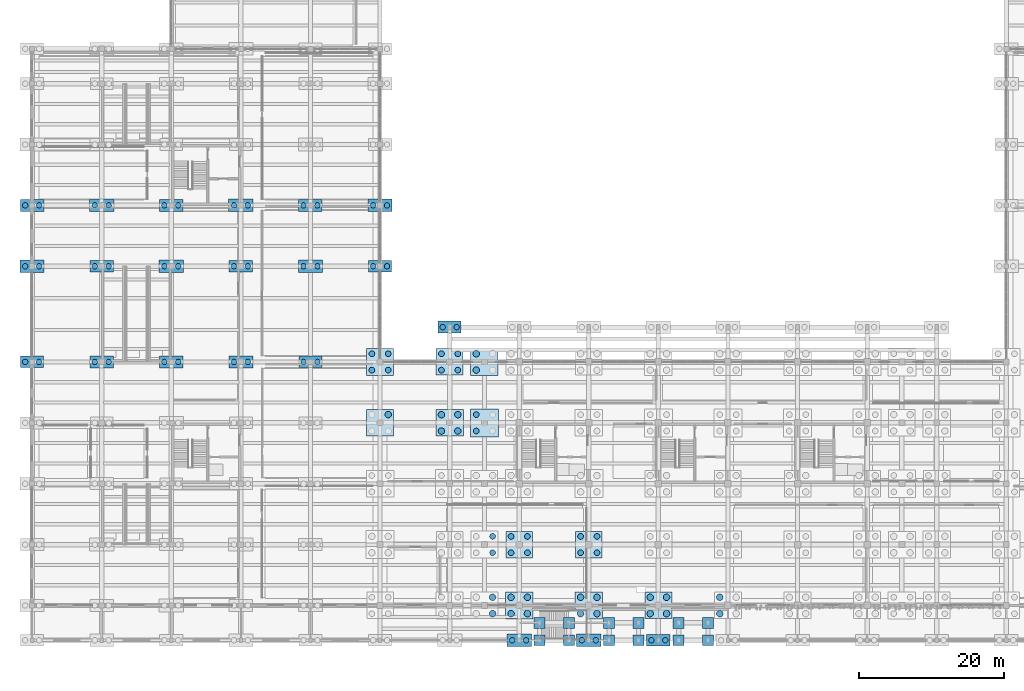
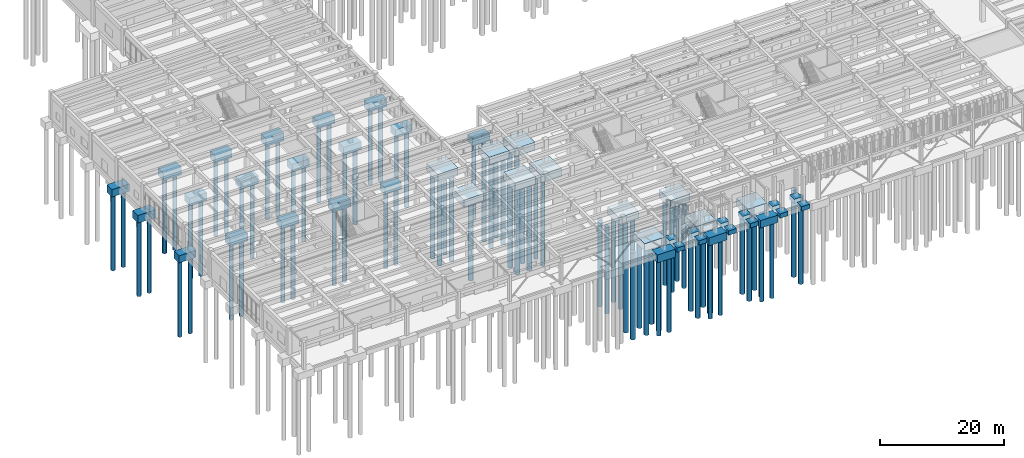
# One storey, part 2 of 102: 85 piles, 44 footings.
"""IFC4 building model written with IfcOpenShell, lengths in metres."""

from ifc_helpers import new_model, si_unit, direction, frame, origin, origin_2d, place, context, subcontext, project, spatial, rectangle, circle, extrude, material, material_profile, profile_set, type_object, element, save


model = new_model("IFC4")

# Units and contexts
model_context = context("Model", 3, precision=1e-05, world=origin(), true_north=direction((0.0, 1.0)))
body_context = subcontext(model_context, "Body", "Model", "MODEL_VIEW")
ifc_project = project(units=[si_unit("LENGTHUNIT", "METRE"), si_unit("AREAUNIT", "SQUARE_METRE"), si_unit("VOLUMEUNIT", "CUBIC_METRE"), si_unit("PLANEANGLEUNIT", "RADIAN"), si_unit("MASSUNIT", "GRAM", prefix="KILO")], contexts=[model_context])

# Site, building, storey
site_placement = place(None, origin())
site = spatial("IfcSite", under=ifc_project, at=site_placement, CompositionType="ELEMENT")
building_placement = place(site_placement, origin())
building = spatial("IfcBuilding", under=site, at=building_placement, Name="Kolvemor Railside Polytechnic", CompositionType="ELEMENT")
storey_placement = place(building_placement, origin())
storey = spatial("IfcBuildingStorey", under=building, at=storey_placement, Name="L00", CompositionType="ELEMENT", Elevation=0.0)

# Footings
ifc_material_1 = material(Name="Concrete C40/50", Category="concrete")
footing_type_1 = type_object("IfcFootingType", Name="FTG-PAD-B", PredefinedType="PAD_FOOTING", material=ifc_material_1)
for number, where, z_axis, x_axis, name in (
    (1, (70.0, 0.0, -0.85009765625), (0.0, 0.0, 1.0), (1.0, 0.0, 0.0), "Stair Post Pad Footing PF-104"),
    (2, (70.0, 2.39990234375, -0.85009765625), (0.0, 0.0, 1.0), (1.0, 0.0, 0.0), "Stair Post Pad Footing PF-105"),
    (3, (74.050048828125, 0.0, -0.85009765625), (0.0, 0.0, 1.0), (1.0, 0.0, 0.0), "Stair Post Pad Footing PF-106"),
    (4, (74.050048828125, 2.39990234375, -0.85009765625), (0.0, 0.0, 1.0), (1.0, 0.0, 0.0), "Stair Post Pad Footing PF-107"),
    (5, (79.60009765625, 0.0, -0.85009765625), (0.0, 0.0, 1.0), (1.0, 0.0, 0.0), "Stair Post Pad Footing PF-118"),
    (6, (79.60009765625, 2.39990234375, -0.85009765625), (0.0, 0.0, 1.0), (1.0, 0.0, 0.0), "Stair Post Pad Footing PF-119"),
    (7, (83.64990234375, 0.0, -0.85009765625), (0.0, 0.0, 1.0), (1.0, 0.0, 0.0), "Stair Post Pad Footing PF-120"),
    (8, (83.64990234375, 2.39990234375, -0.85009765625), (0.0, 0.0, 1.0), (1.0, 0.0, 0.0), "Stair Post Pad Footing PF-121"),
    (9, (89.199951171875, 0.0, -0.85009765625), (0.0, 0.0, 1.0), (1.0, 0.0, 0.0), "Stair Post Pad Footing PF-132"),
    (10, (89.199951171875, 2.39990234375, -0.85009765625), (0.0, 0.0, 1.0), (1.0, 0.0, 0.0), "Stair Post Pad Footing PF-133"),
    (11, (93.25, 0.0, -0.85009765625), (0.0, 0.0, 1.0), (1.0, 0.0, 0.0), "Stair Post Pad Footing PF-134"),
    (12, (93.25, 2.39990234375, -0.85009765625), (0.0, 0.0, 1.0), (1.0, 0.0, 0.0), "Stair Post Pad Footing PF-135"),
):
    element("IfcFooting", number, at=place(storey_placement, frame(where, z_axis=z_axis, x_axis=x_axis)), inside=storey, type_object=footing_type_1, Name=name, PredefinedType="PAD_FOOTING", context=body_context, shape_type="SweptSolid", body=[
        extrude(rectangle(XDim=1.5, YDim=1.5, at=origin_2d()), origin(), (0.0, 0.0, 1.0), 0.85009765625),
    ])
ifc_material_2 = material(Name="Concrete C40/50", Category="concrete")
footing_type_2 = type_object("IfcFootingType", Name="FTG-PC-2P-A", PredefinedType="PILE_CAP", material=ifc_material_2)
for number, where, z_axis, x_axis, name in (
    (13, (19.199951171875, 60.0, -1.5), (0.0, 0.0, 1.0), (1.0, 0.0, 0.0), "Pile Cap PC-030"),
    (14, (57.60009765625, 43.199951171875, -1.5), (0.0, 0.0, 1.0), (1.0, 0.0, 0.0), "Pile Cap PC-085"),
):
    element("IfcFooting", number, at=place(storey_placement, frame(where, z_axis=z_axis, x_axis=x_axis)), inside=storey, type_object=footing_type_2, Name=name, PredefinedType="PILE_CAP", context=body_context, shape_type="SweptSolid", body=[
        extrude(rectangle(XDim=3.199951171875, YDim=1.64990234375, at=origin_2d()), origin(), (0.0, 0.0, 1.0), 1.5),
    ])
ifc_material_3 = material(Name="Concrete C40/50", Category="concrete")
footing_type_3 = type_object("IfcFootingType", Name="FTG-PC-2P-B", PredefinedType="PILE_CAP", material=ifc_material_3)
for number, where, z_axis, x_axis, name in (
    (15, (0.0, 38.39990234375, -1.39990234375), (0.0, 0.0, 1.0), (1.0, 0.0, 0.0), "Pile Cap PC-006"),
    (16, (38.39990234375, 38.39990234375, -1.39990234375), (0.0, 0.0, 1.0), (1.0, 0.0, 0.0), "Pile Cap PC-056"),
    (17, (48.0, 51.60009765625, -1.39990234375), (0.0, 0.0, 1.0), (1.0, 0.0, 0.0), "Pile Cap PC-071"),
):
    element("IfcFooting", number, at=place(storey_placement, frame(where, z_axis=z_axis, x_axis=x_axis)), inside=storey, type_object=footing_type_3, Name=name, PredefinedType="PILE_CAP", context=body_context, shape_type="SweptSolid", body=[
        extrude(rectangle(XDim=3.14990234375, YDim=1.60009765625, at=origin_2d()), origin(), (0.0, 0.0, 1.0), 1.39990234375),
    ])
ifc_material_4 = material(Name="Concrete C40/50", Category="concrete")
footing_type_4 = type_object("IfcFootingType", Name="FTG-PC-2P-C", PredefinedType="PILE_CAP", material=ifc_material_4)
for number, where, z_axis, x_axis, name in (
    (18, (0.0, 51.60009765625, -1.5), (0.0, 0.0, 1.0), (1.0, 0.0, 0.0), "Pile Cap PC-007"),
    (19, (9.60009765625, 38.39990234375, -1.5), (0.0, 0.0, 1.0), (1.0, 0.0, 0.0), "Pile Cap PC-017"),
    (20, (28.800048828125, 38.39990234375, -1.5), (0.0, 0.0, 1.0), (1.0, 0.0, 0.0), "Pile Cap PC-042"),
    (21, (38.39990234375, 51.60009765625, -1.5), (0.0, 0.0, 1.0), (1.0, 0.0, 0.0), "Pile Cap PC-057"),
    (22, (48.0, 60.0, -1.5), (0.0, 0.0, 1.0), (1.0, 0.0, 0.0), "Pile Cap PC-072"),
):
    element("IfcFooting", number, at=place(storey_placement, frame(where, z_axis=z_axis, x_axis=x_axis)), inside=storey, type_object=footing_type_4, Name=name, PredefinedType="PILE_CAP", context=body_context, shape_type="SweptSolid", body=[
        extrude(rectangle(XDim=3.300048828125, YDim=1.699951171875, at=origin_2d()), origin(), (0.0, 0.0, 1.0), 1.5),
    ])
ifc_material_5 = material(Name="Concrete C40/50", Category="concrete")
footing_type_5 = type_object("IfcFootingType", Name="FTG-PC-2P-D", PredefinedType="PILE_CAP", material=ifc_material_5)
for number, where, z_axis, x_axis, name in (
    (23, (0.0, 60.0, -1.4501953125), (0.0, 0.0, 1.0), (1.0, 0.0, 0.0), "Pile Cap PC-008"),
    (24, (9.60009765625, 51.60009765625, -1.4501953125), (0.0, 0.0, 1.0), (1.0, 0.0, 0.0), "Pile Cap PC-018"),
    (25, (19.199951171875, 38.39990234375, -1.4501953125), (0.0, 0.0, 1.0), (1.0, 0.0, 0.0), "Pile Cap PC-028"),
    (26, (28.800048828125, 51.60009765625, -1.4501953125), (0.0, 0.0, 1.0), (1.0, 0.0, 0.0), "Pile Cap PC-043"),
    (27, (38.39990234375, 60.0, -1.4501953125), (0.0, 0.0, 1.0), (1.0, 0.0, 0.0), "Pile Cap PC-058"),
    (28, (86.39990234375, 0.0, -1.4501953125), (0.0, 0.0, 1.0), (1.0, 0.0, 0.0), "Pile Cap PC-122"),
):
    element("IfcFooting", number, at=place(storey_placement, frame(where, z_axis=z_axis, x_axis=x_axis)), inside=storey, type_object=footing_type_5, Name=name, PredefinedType="PILE_CAP", context=body_context, shape_type="SweptSolid", body=[
        extrude(rectangle(XDim=3.25, YDim=1.64990234375, at=origin_2d()), origin(), (0.0, 0.0, 1.0), 1.449951171875),
    ])
ifc_material_6 = material(Name="Concrete C40/50", Category="concrete")
footing_type_6 = type_object("IfcFootingType", Name="FTG-PC-2P-E", PredefinedType="PILE_CAP", material=ifc_material_6)
for number, where, z_axis, x_axis, name in (
    (29, (9.60009765625, 60.0, -1.5498046875), (0.0, 0.0, 1.0), (1.0, 0.0, 0.0), "Pile Cap PC-019"),
    (30, (19.199951171875, 51.60009765625, -1.5498046875), (0.0, 0.0, 1.0), (1.0, 0.0, 0.0), "Pile Cap PC-029"),
    (31, (28.800048828125, 60.0, -1.5498046875), (0.0, 0.0, 1.0), (1.0, 0.0, 0.0), "Pile Cap PC-044"),
    (32, (67.199951171875, 0.0, -1.5498046875), (0.0, 0.0, 1.0), (1.0, 0.0, 0.0), "Pile Cap PC-094"),
    (33, (76.800048828125, 0.0, -1.5498046875), (0.0, 0.0, 1.0), (1.0, 0.0, 0.0), "Pile Cap PC-108"),
):
    element("IfcFooting", number, at=place(storey_placement, frame(where, z_axis=z_axis, x_axis=x_axis)), inside=storey, type_object=footing_type_6, Name=name, PredefinedType="PILE_CAP", context=body_context, shape_type="SweptSolid", body=[
        extrude(rectangle(XDim=3.35009765625, YDim=1.75, at=origin_2d()), origin(), (0.0, 0.0, 1.0), 1.550048828125),
    ])
ifc_material_7 = material(Name="Concrete C40/50", Category="concrete")
footing_type_7 = type_object("IfcFootingType", Name="FTG-PC-4P-A", PredefinedType="PILE_CAP", material=ifc_material_7)
for number, where, z_axis, x_axis, name in (
    (34, (48.0, 38.39990234375, -1.5), (0.0, 0.0, 1.0), (1.0, 0.0, 0.0), "Pile Cap PC-070"),
    (35, (67.199951171875, 4.800048828125, -1.5), (0.0, 0.0, 1.0), (1.0, 0.0, 0.0), "Pile Cap PC-095"),
    (36, (76.800048828125, 4.800048828125, -1.5), (0.0, 0.0, 1.0), (1.0, 0.0, 0.0), "Pile Cap PC-109"),
):
    element("IfcFooting", number, at=place(storey_placement, frame(where, z_axis=z_axis, x_axis=x_axis)), inside=storey, type_object=footing_type_7, Name=name, PredefinedType="PILE_CAP", context=body_context, shape_type="SweptSolid", body=[
        extrude(rectangle(XDim=3.75, YDim=3.75, at=origin_2d()), origin(), (0.0, 0.0, 1.0), 1.5),
    ])
ifc_material_8 = material(Name="Concrete C40/50", Category="concrete")
footing_type_8 = type_object("IfcFootingType", Name="FTG-PC-4P-B", PredefinedType="PILE_CAP", material=ifc_material_8)
for number, where, z_axis, x_axis, name in (
    (37, (67.199951171875, 13.199951171875, -1.5), (0.0, 0.0, 1.0), (1.0, 0.0, 0.0), "Pile Cap PC-096"),
    (38, (76.800048828125, 13.199951171875, -1.5), (0.0, 0.0, 1.0), (1.0, 0.0, 0.0), "Pile Cap PC-110"),
):
    element("IfcFooting", number, at=place(storey_placement, frame(where, z_axis=z_axis, x_axis=x_axis)), inside=storey, type_object=footing_type_8, Name=name, PredefinedType="PILE_CAP", context=body_context, shape_type="SweptSolid", body=[
        extrude(rectangle(XDim=3.64990234375, YDim=3.64990234375, at=origin_2d()), origin(), (0.0, 0.0, 1.0), 1.5),
    ])
ifc_material_9 = material(Name="Concrete C40/50", Category="concrete")
footing_type_9 = type_object("IfcFootingType", Name="FTG-PC-4P-C", PredefinedType="PILE_CAP", material=ifc_material_9)
footing_placement = place(storey_placement, frame((62.39990234375, 30.0, -1.60009765625), z_axis=(0.0, 0.0, 1.0), x_axis=(1.0, 0.0, 0.0)))
element("IfcFooting", 39, at=footing_placement, inside=storey, type_object=footing_type_9, Name="Pile Cap PC-092", PredefinedType="PILE_CAP", context=body_context, shape_type="SweptSolid", body=[
    extrude(rectangle(XDim=3.85009765625, YDim=3.85009765625, at=origin_2d()), origin(), (0.0, 0.0, 1.0), 1.60009765625),
])
ifc_material_10 = material(Name="Concrete C40/50", Category="concrete")
footing_type_10 = type_object("IfcFootingType", Name="FTG-PC-4P-D", PredefinedType="PILE_CAP", material=ifc_material_10)
for number, where, z_axis, x_axis, name in (
    (40, (57.60009765625, 30.0, -1.5498046875), (0.0, 0.0, 1.0), (1.0, 0.0, 0.0), "Pile Cap PC-083"),
    (41, (62.39990234375, 38.39990234375, -1.5498046875), (0.0, 0.0, 1.0), (1.0, 0.0, 0.0), "Pile Cap PC-093"),
):
    element("IfcFooting", number, at=place(storey_placement, frame(where, z_axis=z_axis, x_axis=x_axis)), inside=storey, type_object=footing_type_10, Name=name, PredefinedType="PILE_CAP", context=body_context, shape_type="SweptSolid", body=[
        extrude(rectangle(XDim=3.800048828125, YDim=3.699951171875, at=origin_2d()), origin(), (0.0, 0.0, 1.0), 1.550048828125),
    ])
ifc_material_11 = material(Name="Concrete C40/50", Category="concrete")
footing_type_11 = type_object("IfcFootingType", Name="FTG-PC-4P-E", PredefinedType="PILE_CAP", material=ifc_material_11)
for number, where, z_axis, x_axis, name in (
    (42, (48.0, 30.0, -1.4501953125), (0.0, 0.0, 1.0), (1.0, 0.0, 0.0), "Pile Cap PC-069"),
    (43, (57.60009765625, 38.39990234375, -1.4501953125), (0.0, 0.0, 1.0), (1.0, 0.0, 0.0), "Pile Cap PC-084"),
    (44, (86.39990234375, 4.800048828125, -1.4501953125), (0.0, 0.0, 1.0), (1.0, 0.0, 0.0), "Pile Cap PC-123"),
):
    element("IfcFooting", number, at=place(storey_placement, frame(where, z_axis=z_axis, x_axis=x_axis)), inside=storey, type_object=footing_type_11, Name=name, PredefinedType="PILE_CAP", context=body_context, shape_type="SweptSolid", body=[
        extrude(rectangle(XDim=3.699951171875, YDim=3.64990234375, at=origin_2d()), origin(), (0.0, 0.0, 1.0), 1.449951171875),
    ])

# Piles
ifc_material_12 = material(Name="Concrete C40/50", Category="concrete")
ifc_material_profile_1 = material_profile(ifc_material_12, circle(Radius=0.375, at=origin_2d()), Name="BP750")
ifc_profile_set_1 = profile_set([ifc_material_profile_1], Name="Concrete C40/50")
pile_type_1 = type_object("IfcPileType", Name="PIL-BP750", PredefinedType="BORED", material=ifc_profile_set_1)
for number, where, z_axis, x_axis, name in (
    (45, (-0.9599609375, 38.39990234375, -1.280029296875), (0.0, 0.0, -1.0), (1.0, 0.0, 0.0), "Bored Pile BP750-006-1"),
    (46, (0.9599609375, 38.39990234375, -1.280029296875), (0.0, 0.0, -1.0), (1.0, 0.0, 0.0), "Bored Pile BP750-006-2"),
):
    element("IfcPile", number, at=place(storey_placement, frame(where, z_axis=z_axis, x_axis=x_axis)), inside=storey, type_object=pile_type_1, Name=name, PredefinedType="BORED", context=body_context, shape_type="SweptSolid", body=[
        extrude(circle(Radius=0.375, at=origin_2d()), origin(), (0.0, 0.0, 1.0), 15.219970703125),
    ])
for number, where, z_axis, x_axis, name in (
    (47, (-0.9599609375, 51.60009765625, -1.3798828125), (0.0, 0.0, -1.0), (1.0, 0.0, 0.0), "Bored Pile BP750-007-1"),
    (48, (0.9599609375, 51.60009765625, -1.3798828125), (0.0, 0.0, -1.0), (1.0, 0.0, 0.0), "Bored Pile BP750-007-2"),
):
    element("IfcPile", number, at=place(storey_placement, frame(where, z_axis=z_axis, x_axis=x_axis)), inside=storey, type_object=pile_type_1, Name=name, PredefinedType="BORED", context=body_context, shape_type="SweptSolid", body=[
        extrude(circle(Radius=0.375, at=origin_2d()), origin(), (0.0, 0.0, 1.0), 15.1201171875),
    ])
for number, where, z_axis, x_axis, name in (
    (49, (-0.9599609375, 60.0, -1.330078125), (0.0, 0.0, -1.0), (1.0, 0.0, 0.0), "Bored Pile BP750-008-1"),
    (50, (0.9599609375, 60.0, -1.330078125), (0.0, 0.0, -1.0), (1.0, 0.0, 0.0), "Bored Pile BP750-008-2"),
):
    element("IfcPile", number, at=place(storey_placement, frame(where, z_axis=z_axis, x_axis=x_axis)), inside=storey, type_object=pile_type_1, Name=name, PredefinedType="BORED", context=body_context, shape_type="SweptSolid", body=[
        extrude(circle(Radius=0.375, at=origin_2d()), origin(), (0.0, 0.0, 1.0), 15.169921875),
    ])
for number, where, z_axis, x_axis, name in (
    (51, (8.639892578125, 38.39990234375, -1.3798828125), (0.0, 0.0, -1.0), (1.0, 0.0, 0.0), "Bored Pile BP750-017-1"),
    (52, (10.56005859375, 38.39990234375, -1.3798828125), (0.0, 0.0, -1.0), (1.0, 0.0, 0.0), "Bored Pile BP750-017-2"),
):
    element("IfcPile", number, at=place(storey_placement, frame(where, z_axis=z_axis, x_axis=x_axis)), inside=storey, type_object=pile_type_1, Name=name, PredefinedType="BORED", context=body_context, shape_type="SweptSolid", body=[
        extrude(circle(Radius=0.375, at=origin_2d()), origin(), (0.0, 0.0, 1.0), 15.1201171875),
    ])
for number, where, z_axis, x_axis, name in (
    (53, (8.639892578125, 51.60009765625, -1.330078125), (0.0, 0.0, -1.0), (1.0, 0.0, 0.0), "Bored Pile BP750-018-1"),
    (54, (10.56005859375, 51.60009765625, -1.330078125), (0.0, 0.0, -1.0), (1.0, 0.0, 0.0), "Bored Pile BP750-018-2"),
):
    element("IfcPile", number, at=place(storey_placement, frame(where, z_axis=z_axis, x_axis=x_axis)), inside=storey, type_object=pile_type_1, Name=name, PredefinedType="BORED", context=body_context, shape_type="SweptSolid", body=[
        extrude(circle(Radius=0.375, at=origin_2d()), origin(), (0.0, 0.0, 1.0), 15.169921875),
    ])
for number, where, z_axis, x_axis, name in (
    (55, (8.639892578125, 60.0, -1.429931640625), (0.0, 0.0, -1.0), (1.0, 0.0, 0.0), "Bored Pile BP750-019-1"),
    (56, (10.56005859375, 60.0, -1.429931640625), (0.0, 0.0, -1.0), (1.0, 0.0, 0.0), "Bored Pile BP750-019-2"),
):
    element("IfcPile", number, at=place(storey_placement, frame(where, z_axis=z_axis, x_axis=x_axis)), inside=storey, type_object=pile_type_1, Name=name, PredefinedType="BORED", context=body_context, shape_type="SweptSolid", body=[
        extrude(circle(Radius=0.375, at=origin_2d()), origin(), (0.0, 0.0, 1.0), 15.070068359375),
    ])
for number, where, z_axis, x_axis, name in (
    (57, (18.239990234375, 38.39990234375, -1.330078125), (0.0, 0.0, -1.0), (1.0, 0.0, 0.0), "Bored Pile BP750-028-1"),
    (58, (20.159912109375, 38.39990234375, -1.330078125), (0.0, 0.0, -1.0), (1.0, 0.0, 0.0), "Bored Pile BP750-028-2"),
):
    element("IfcPile", number, at=place(storey_placement, frame(where, z_axis=z_axis, x_axis=x_axis)), inside=storey, type_object=pile_type_1, Name=name, PredefinedType="BORED", context=body_context, shape_type="SweptSolid", body=[
        extrude(circle(Radius=0.375, at=origin_2d()), origin(), (0.0, 0.0, 1.0), 15.169921875),
    ])
for number, where, z_axis, x_axis, name in (
    (59, (18.239990234375, 51.60009765625, -1.429931640625), (0.0, 0.0, -1.0), (1.0, 0.0, 0.0), "Bored Pile BP750-029-1"),
    (60, (20.159912109375, 51.60009765625, -1.429931640625), (0.0, 0.0, -1.0), (1.0, 0.0, 0.0), "Bored Pile BP750-029-2"),
):
    element("IfcPile", number, at=place(storey_placement, frame(where, z_axis=z_axis, x_axis=x_axis)), inside=storey, type_object=pile_type_1, Name=name, PredefinedType="BORED", context=body_context, shape_type="SweptSolid", body=[
        extrude(circle(Radius=0.375, at=origin_2d()), origin(), (0.0, 0.0, 1.0), 15.070068359375),
    ])
for number, where, z_axis, x_axis, name in (
    (61, (18.239990234375, 60.0, -1.3798828125), (0.0, 0.0, -1.0), (1.0, 0.0, 0.0), "Bored Pile BP750-030-1"),
    (62, (20.159912109375, 60.0, -1.3798828125), (0.0, 0.0, -1.0), (1.0, 0.0, 0.0), "Bored Pile BP750-030-2"),
    (63, (27.840087890625, 38.39990234375, -1.3798828125), (0.0, 0.0, -1.0), (1.0, 0.0, 0.0), "Bored Pile BP750-042-1"),
    (64, (29.760009765625, 38.39990234375, -1.3798828125), (0.0, 0.0, -1.0), (1.0, 0.0, 0.0), "Bored Pile BP750-042-2"),
):
    element("IfcPile", number, at=place(storey_placement, frame(where, z_axis=z_axis, x_axis=x_axis)), inside=storey, type_object=pile_type_1, Name=name, PredefinedType="BORED", context=body_context, shape_type="SweptSolid", body=[
        extrude(circle(Radius=0.375, at=origin_2d()), origin(), (0.0, 0.0, 1.0), 15.1201171875),
    ])
for number, where, z_axis, x_axis, name in (
    (65, (27.840087890625, 51.60009765625, -1.330078125), (0.0, 0.0, -1.0), (1.0, 0.0, 0.0), "Bored Pile BP750-043-1"),
    (66, (29.760009765625, 51.60009765625, -1.330078125), (0.0, 0.0, -1.0), (1.0, 0.0, 0.0), "Bored Pile BP750-043-2"),
):
    element("IfcPile", number, at=place(storey_placement, frame(where, z_axis=z_axis, x_axis=x_axis)), inside=storey, type_object=pile_type_1, Name=name, PredefinedType="BORED", context=body_context, shape_type="SweptSolid", body=[
        extrude(circle(Radius=0.375, at=origin_2d()), origin(), (0.0, 0.0, 1.0), 15.169921875),
    ])
for number, where, z_axis, x_axis, name in (
    (67, (27.840087890625, 60.0, -1.429931640625), (0.0, 0.0, -1.0), (1.0, 0.0, 0.0), "Bored Pile BP750-044-1"),
    (68, (29.760009765625, 60.0, -1.429931640625), (0.0, 0.0, -1.0), (1.0, 0.0, 0.0), "Bored Pile BP750-044-2"),
):
    element("IfcPile", number, at=place(storey_placement, frame(where, z_axis=z_axis, x_axis=x_axis)), inside=storey, type_object=pile_type_1, Name=name, PredefinedType="BORED", context=body_context, shape_type="SweptSolid", body=[
        extrude(circle(Radius=0.375, at=origin_2d()), origin(), (0.0, 0.0, 1.0), 15.070068359375),
    ])
for number, where, z_axis, x_axis, name in (
    (69, (37.43994140625, 38.39990234375, -1.280029296875), (0.0, 0.0, -1.0), (1.0, 0.0, 0.0), "Bored Pile BP750-056-1"),
    (70, (39.360107421875, 38.39990234375, -1.280029296875), (0.0, 0.0, -1.0), (1.0, 0.0, 0.0), "Bored Pile BP750-056-2"),
):
    element("IfcPile", number, at=place(storey_placement, frame(where, z_axis=z_axis, x_axis=x_axis)), inside=storey, type_object=pile_type_1, Name=name, PredefinedType="BORED", context=body_context, shape_type="SweptSolid", body=[
        extrude(circle(Radius=0.375, at=origin_2d()), origin(), (0.0, 0.0, 1.0), 15.219970703125),
    ])
for number, where, z_axis, x_axis, name in (
    (71, (37.43994140625, 51.60009765625, -1.3798828125), (0.0, 0.0, -1.0), (1.0, 0.0, 0.0), "Bored Pile BP750-057-1"),
    (72, (39.360107421875, 51.60009765625, -1.3798828125), (0.0, 0.0, -1.0), (1.0, 0.0, 0.0), "Bored Pile BP750-057-2"),
):
    element("IfcPile", number, at=place(storey_placement, frame(where, z_axis=z_axis, x_axis=x_axis)), inside=storey, type_object=pile_type_1, Name=name, PredefinedType="BORED", context=body_context, shape_type="SweptSolid", body=[
        extrude(circle(Radius=0.375, at=origin_2d()), origin(), (0.0, 0.0, 1.0), 15.1201171875),
    ])
for number, where, z_axis, x_axis, name in (
    (73, (37.43994140625, 60.0, -1.330078125), (0.0, 0.0, -1.0), (1.0, 0.0, 0.0), "Bored Pile BP750-058-1"),
    (74, (39.360107421875, 60.0, -1.330078125), (0.0, 0.0, -1.0), (1.0, 0.0, 0.0), "Bored Pile BP750-058-2"),
):
    element("IfcPile", number, at=place(storey_placement, frame(where, z_axis=z_axis, x_axis=x_axis)), inside=storey, type_object=pile_type_1, Name=name, PredefinedType="BORED", context=body_context, shape_type="SweptSolid", body=[
        extrude(circle(Radius=0.375, at=origin_2d()), origin(), (0.0, 0.0, 1.0), 15.169921875),
    ])
for number, where, z_axis, x_axis, name in (
    (75, (47.0400390625, 51.60009765625, -1.280029296875), (0.0, 0.0, -1.0), (1.0, 0.0, 0.0), "Bored Pile BP750-071-1"),
    (76, (48.9599609375, 51.60009765625, -1.280029296875), (0.0, 0.0, -1.0), (1.0, 0.0, 0.0), "Bored Pile BP750-071-2"),
):
    element("IfcPile", number, at=place(storey_placement, frame(where, z_axis=z_axis, x_axis=x_axis)), inside=storey, type_object=pile_type_1, Name=name, PredefinedType="BORED", context=body_context, shape_type="SweptSolid", body=[
        extrude(circle(Radius=0.375, at=origin_2d()), origin(), (0.0, 0.0, 1.0), 15.219970703125),
    ])
for number, where, z_axis, x_axis, name in (
    (77, (47.0400390625, 60.0, -1.3798828125), (0.0, 0.0, -1.0), (1.0, 0.0, 0.0), "Bored Pile BP750-072-1"),
    (78, (48.9599609375, 60.0, -1.3798828125), (0.0, 0.0, -1.0), (1.0, 0.0, 0.0), "Bored Pile BP750-072-2"),
    (79, (56.639892578125, 43.199951171875, -1.3798828125), (0.0, 0.0, -1.0), (1.0, 0.0, 0.0), "Bored Pile BP750-085-1"),
    (80, (58.56005859375, 43.199951171875, -1.3798828125), (0.0, 0.0, -1.0), (1.0, 0.0, 0.0), "Bored Pile BP750-085-2"),
):
    element("IfcPile", number, at=place(storey_placement, frame(where, z_axis=z_axis, x_axis=x_axis)), inside=storey, type_object=pile_type_1, Name=name, PredefinedType="BORED", context=body_context, shape_type="SweptSolid", body=[
        extrude(circle(Radius=0.375, at=origin_2d()), origin(), (0.0, 0.0, 1.0), 15.1201171875),
    ])
for number, where, z_axis, x_axis, name in (
    (81, (66.239990234375, 0.0, -1.429931640625), (0.0, 0.0, -1.0), (1.0, 0.0, 0.0), "Bored Pile BP750-094-1"),
    (82, (68.159912109375, 0.0, -1.429931640625), (0.0, 0.0, -1.0), (1.0, 0.0, 0.0), "Bored Pile BP750-094-2"),
    (83, (75.840087890625, 0.0, -1.429931640625), (0.0, 0.0, -1.0), (1.0, 0.0, 0.0), "Bored Pile BP750-108-1"),
    (84, (77.760009765625, 0.0, -1.429931640625), (0.0, 0.0, -1.0), (1.0, 0.0, 0.0), "Bored Pile BP750-108-2"),
):
    element("IfcPile", number, at=place(storey_placement, frame(where, z_axis=z_axis, x_axis=x_axis)), inside=storey, type_object=pile_type_1, Name=name, PredefinedType="BORED", context=body_context, shape_type="SweptSolid", body=[
        extrude(circle(Radius=0.375, at=origin_2d()), origin(), (0.0, 0.0, 1.0), 15.070068359375),
    ])
for number, where, z_axis, x_axis, name in (
    (85, (85.43994140625, 0.0, -1.330078125), (0.0, 0.0, -1.0), (1.0, 0.0, 0.0), "Bored Pile BP750-122-1"),
    (86, (87.360107421875, 0.0, -1.330078125), (0.0, 0.0, -1.0), (1.0, 0.0, 0.0), "Bored Pile BP750-122-2"),
):
    element("IfcPile", number, at=place(storey_placement, frame(where, z_axis=z_axis, x_axis=x_axis)), inside=storey, type_object=pile_type_1, Name=name, PredefinedType="BORED", context=body_context, shape_type="SweptSolid", body=[
        extrude(circle(Radius=0.375, at=origin_2d()), origin(), (0.0, 0.0, 1.0), 15.169921875),
    ])
ifc_material_13 = material(Name="Concrete C40/50", Category="concrete")
ifc_material_profile_2 = material_profile(ifc_material_13, circle(Radius=0.39990234375, at=origin_2d()), Name="BP800")
ifc_profile_set_2 = profile_set([ifc_material_profile_2], Name="Concrete C40/50")
pile_type_2 = type_object("IfcPileType", Name="PIL-BP800", PredefinedType="BORED", material=ifc_profile_set_2)
for number, where, z_axis, x_axis, name in (
    (87, (46.8701171875, 37.27001953125, -1.3798828125), (0.0, 0.0, -1.0), (1.0, 0.0, 0.0), "Bored Pile PIL-BP800-070-1"),
    (88, (46.8701171875, 39.530029296875, -1.3798828125), (0.0, 0.0, -1.0), (1.0, 0.0, 0.0), "Bored Pile PIL-BP800-070-2"),
    (89, (49.1298828125, 37.27001953125, -1.3798828125), (0.0, 0.0, -1.0), (1.0, 0.0, 0.0), "Bored Pile PIL-BP800-070-3"),
    (90, (49.1298828125, 39.530029296875, -1.3798828125), (0.0, 0.0, -1.0), (1.0, 0.0, 0.0), "Bored Pile PIL-BP800-070-4"),
):
    element("IfcPile", number, at=place(storey_placement, frame(where, z_axis=z_axis, x_axis=x_axis)), inside=storey, type_object=pile_type_2, Name=name, PredefinedType="BORED", context=body_context, shape_type="SweptSolid", body=[
        extrude(circle(Radius=0.39990234375, at=origin_2d()), origin(), (0.0, 0.0, 1.0), 17.1201171875),
    ])
for number, where, z_axis, x_axis, name in (
    (91, (56.469970703125, 37.27001953125, -1.330078125), (0.0, 0.0, -1.0), (1.0, 0.0, 0.0), "Bored Pile PIL-BP800-084-1"),
    (92, (56.469970703125, 39.530029296875, -1.330078125), (0.0, 0.0, -1.0), (1.0, 0.0, 0.0), "Bored Pile PIL-BP800-084-2"),
    (93, (58.72998046875, 37.27001953125, -1.330078125), (0.0, 0.0, -1.0), (1.0, 0.0, 0.0), "Bored Pile PIL-BP800-084-3"),
    (94, (58.72998046875, 39.530029296875, -1.330078125), (0.0, 0.0, -1.0), (1.0, 0.0, 0.0), "Bored Pile PIL-BP800-084-4"),
):
    element("IfcPile", number, at=place(storey_placement, frame(where, z_axis=z_axis, x_axis=x_axis)), inside=storey, type_object=pile_type_2, Name=name, PredefinedType="BORED", context=body_context, shape_type="SweptSolid", body=[
        extrude(circle(Radius=0.39990234375, at=origin_2d()), origin(), (0.0, 0.0, 1.0), 17.169921875),
    ])
for number, where, z_axis, x_axis, name in (
    (95, (63.530029296875, 12.070068359375, -1.3798828125), (0.0, 0.0, -1.0), (1.0, 0.0, 0.0), "Bored Pile PIL-BP800-090-3"),
    (96, (63.530029296875, 14.330078125, -1.3798828125), (0.0, 0.0, -1.0), (1.0, 0.0, 0.0), "Bored Pile PIL-BP800-090-4"),
):
    element("IfcPile", number, at=place(storey_placement, frame(where, z_axis=z_axis, x_axis=x_axis)), inside=storey, type_object=pile_type_2, Name=name, PredefinedType="BORED", context=body_context, shape_type="SweptSolid", body=[
        extrude(circle(Radius=0.39990234375, at=origin_2d()), origin(), (0.0, 0.0, 1.0), 17.1201171875),
    ])
for number, where, z_axis, x_axis, name in (
    (97, (61.27001953125, 28.8701171875, -1.47998046875), (0.0, 0.0, -1.0), (1.0, 0.0, 0.0), "Bored Pile PIL-BP800-092-1"),
    (98, (61.27001953125, 31.1298828125, -1.47998046875), (0.0, 0.0, -1.0), (1.0, 0.0, 0.0), "Bored Pile PIL-BP800-092-2"),
):
    element("IfcPile", number, at=place(storey_placement, frame(where, z_axis=z_axis, x_axis=x_axis)), inside=storey, type_object=pile_type_2, Name=name, PredefinedType="BORED", context=body_context, shape_type="SweptSolid", body=[
        extrude(circle(Radius=0.39990234375, at=origin_2d()), origin(), (0.0, 0.0, 1.0), 17.02001953125),
    ])
for number, where, z_axis, x_axis, name in (
    (99, (66.070068359375, 12.070068359375, -1.3798828125), (0.0, 0.0, -1.0), (1.0, 0.0, 0.0), "Bored Pile PIL-BP800-096-1"),
    (100, (66.070068359375, 14.330078125, -1.3798828125), (0.0, 0.0, -1.0), (1.0, 0.0, 0.0), "Bored Pile PIL-BP800-096-2"),
    (101, (68.330078125, 12.070068359375, -1.3798828125), (0.0, 0.0, -1.0), (1.0, 0.0, 0.0), "Bored Pile PIL-BP800-096-3"),
    (102, (68.330078125, 14.330078125, -1.3798828125), (0.0, 0.0, -1.0), (1.0, 0.0, 0.0), "Bored Pile PIL-BP800-096-4"),
    (103, (75.669921875, 12.070068359375, -1.3798828125), (0.0, 0.0, -1.0), (1.0, 0.0, 0.0), "Bored Pile PIL-BP800-110-1"),
    (104, (75.669921875, 14.330078125, -1.3798828125), (0.0, 0.0, -1.0), (1.0, 0.0, 0.0), "Bored Pile PIL-BP800-110-2"),
    (105, (77.929931640625, 12.070068359375, -1.3798828125), (0.0, 0.0, -1.0), (1.0, 0.0, 0.0), "Bored Pile PIL-BP800-110-3"),
    (106, (77.929931640625, 14.330078125, -1.3798828125), (0.0, 0.0, -1.0), (1.0, 0.0, 0.0), "Bored Pile PIL-BP800-110-4"),
):
    element("IfcPile", number, at=place(storey_placement, frame(where, z_axis=z_axis, x_axis=x_axis)), inside=storey, type_object=pile_type_2, Name=name, PredefinedType="BORED", context=body_context, shape_type="SweptSolid", body=[
        extrude(circle(Radius=0.39990234375, at=origin_2d()), origin(), (0.0, 0.0, 1.0), 17.1201171875),
    ])
ifc_material_14 = material(Name="Concrete C40/50", Category="concrete")
ifc_material_profile_3 = material_profile(ifc_material_14, circle(Radius=0.449951171875, at=origin_2d()), Name="BP900")
ifc_profile_set_3 = profile_set([ifc_material_profile_3], Name="Concrete C40/50")
pile_type_3 = type_object("IfcPileType", Name="PIL-BP900", PredefinedType="BORED", material=ifc_profile_set_3)
pile_placement = place(storey_placement, frame((49.1298828125, 31.1298828125, -1.330078125), z_axis=(0.0, 0.0, -1.0), x_axis=(1.0, 0.0, 0.0)))
element("IfcPile", 107, at=pile_placement, inside=storey, type_object=pile_type_3, Name="Bored Pile PIL-BP900-069-4", PredefinedType="BORED", context=body_context, shape_type="SweptSolid", body=[
    extrude(circle(Radius=0.449951171875, at=origin_2d()), origin(), (0.0, 0.0, 1.0), 17.169921875),
])
for number, where, z_axis, x_axis, name in (
    (108, (56.469970703125, 28.8701171875, -1.429931640625), (0.0, 0.0, -1.0), (1.0, 0.0, 0.0), "Bored Pile PIL-BP900-083-1"),
    (109, (56.469970703125, 31.1298828125, -1.429931640625), (0.0, 0.0, -1.0), (1.0, 0.0, 0.0), "Bored Pile PIL-BP900-083-2"),
    (110, (58.72998046875, 28.8701171875, -1.429931640625), (0.0, 0.0, -1.0), (1.0, 0.0, 0.0), "Bored Pile PIL-BP900-083-3"),
    (111, (58.72998046875, 31.1298828125, -1.429931640625), (0.0, 0.0, -1.0), (1.0, 0.0, 0.0), "Bored Pile PIL-BP900-083-4"),
):
    element("IfcPile", number, at=place(storey_placement, frame(where, z_axis=z_axis, x_axis=x_axis)), inside=storey, type_object=pile_type_3, Name=name, PredefinedType="BORED", context=body_context, shape_type="SweptSolid", body=[
        extrude(circle(Radius=0.449951171875, at=origin_2d()), origin(), (0.0, 0.0, 1.0), 17.070068359375),
    ])
for number, where, z_axis, x_axis, name in (
    (112, (63.530029296875, 3.669921875, -1.330078125), (0.0, 0.0, -1.0), (1.0, 0.0, 0.0), "Bored Pile PIL-BP900-089-3"),
    (113, (63.530029296875, 5.929931640625, -1.330078125), (0.0, 0.0, -1.0), (1.0, 0.0, 0.0), "Bored Pile PIL-BP900-089-4"),
):
    element("IfcPile", number, at=place(storey_placement, frame(where, z_axis=z_axis, x_axis=x_axis)), inside=storey, type_object=pile_type_3, Name=name, PredefinedType="BORED", context=body_context, shape_type="SweptSolid", body=[
        extrude(circle(Radius=0.449951171875, at=origin_2d()), origin(), (0.0, 0.0, 1.0), 17.169921875),
    ])
for number, where, z_axis, x_axis, name in (
    (114, (61.27001953125, 37.27001953125, -1.429931640625), (0.0, 0.0, -1.0), (1.0, 0.0, 0.0), "Bored Pile PIL-BP900-093-1"),
    (115, (61.27001953125, 39.530029296875, -1.429931640625), (0.0, 0.0, -1.0), (1.0, 0.0, 0.0), "Bored Pile PIL-BP900-093-2"),
):
    element("IfcPile", number, at=place(storey_placement, frame(where, z_axis=z_axis, x_axis=x_axis)), inside=storey, type_object=pile_type_3, Name=name, PredefinedType="BORED", context=body_context, shape_type="SweptSolid", body=[
        extrude(circle(Radius=0.449951171875, at=origin_2d()), origin(), (0.0, 0.0, 1.0), 17.070068359375),
    ])
for number, where, z_axis, x_axis, name in (
    (116, (66.070068359375, 3.669921875, -1.3798828125), (0.0, 0.0, -1.0), (1.0, 0.0, 0.0), "Bored Pile PIL-BP900-095-1"),
    (117, (66.070068359375, 5.929931640625, -1.3798828125), (0.0, 0.0, -1.0), (1.0, 0.0, 0.0), "Bored Pile PIL-BP900-095-2"),
    (118, (68.330078125, 3.669921875, -1.3798828125), (0.0, 0.0, -1.0), (1.0, 0.0, 0.0), "Bored Pile PIL-BP900-095-3"),
    (119, (68.330078125, 5.929931640625, -1.3798828125), (0.0, 0.0, -1.0), (1.0, 0.0, 0.0), "Bored Pile PIL-BP900-095-4"),
    (120, (75.669921875, 3.669921875, -1.3798828125), (0.0, 0.0, -1.0), (1.0, 0.0, 0.0), "Bored Pile PIL-BP900-109-1"),
    (121, (75.669921875, 5.929931640625, -1.3798828125), (0.0, 0.0, -1.0), (1.0, 0.0, 0.0), "Bored Pile PIL-BP900-109-2"),
    (122, (77.929931640625, 3.669921875, -1.3798828125), (0.0, 0.0, -1.0), (1.0, 0.0, 0.0), "Bored Pile PIL-BP900-109-3"),
    (123, (77.929931640625, 5.929931640625, -1.3798828125), (0.0, 0.0, -1.0), (1.0, 0.0, 0.0), "Bored Pile PIL-BP900-109-4"),
):
    element("IfcPile", number, at=place(storey_placement, frame(where, z_axis=z_axis, x_axis=x_axis)), inside=storey, type_object=pile_type_3, Name=name, PredefinedType="BORED", context=body_context, shape_type="SweptSolid", body=[
        extrude(circle(Radius=0.449951171875, at=origin_2d()), origin(), (0.0, 0.0, 1.0), 17.1201171875),
    ])
for number, where, z_axis, x_axis, name in (
    (124, (85.27001953125, 3.669921875, -1.330078125), (0.0, 0.0, -1.0), (1.0, 0.0, 0.0), "Bored Pile PIL-BP900-123-1"),
    (125, (85.27001953125, 5.929931640625, -1.330078125), (0.0, 0.0, -1.0), (1.0, 0.0, 0.0), "Bored Pile PIL-BP900-123-2"),
    (126, (87.530029296875, 3.669921875, -1.330078125), (0.0, 0.0, -1.0), (1.0, 0.0, 0.0), "Bored Pile PIL-BP900-123-3"),
    (127, (87.530029296875, 5.929931640625, -1.330078125), (0.0, 0.0, -1.0), (1.0, 0.0, 0.0), "Bored Pile PIL-BP900-123-4"),
    (128, (94.8701171875, 3.669921875, -1.330078125), (0.0, 0.0, -1.0), (1.0, 0.0, 0.0), "Bored Pile PIL-BP900-137-1"),
    (129, (94.8701171875, 5.929931640625, -1.330078125), (0.0, 0.0, -1.0), (1.0, 0.0, 0.0), "Bored Pile PIL-BP900-137-2"),
):
    element("IfcPile", number, at=place(storey_placement, frame(where, z_axis=z_axis, x_axis=x_axis)), inside=storey, type_object=pile_type_3, Name=name, PredefinedType="BORED", context=body_context, shape_type="SweptSolid", body=[
        extrude(circle(Radius=0.449951171875, at=origin_2d()), origin(), (0.0, 0.0, 1.0), 17.169921875),
    ])

save(model, "model.ifc")
